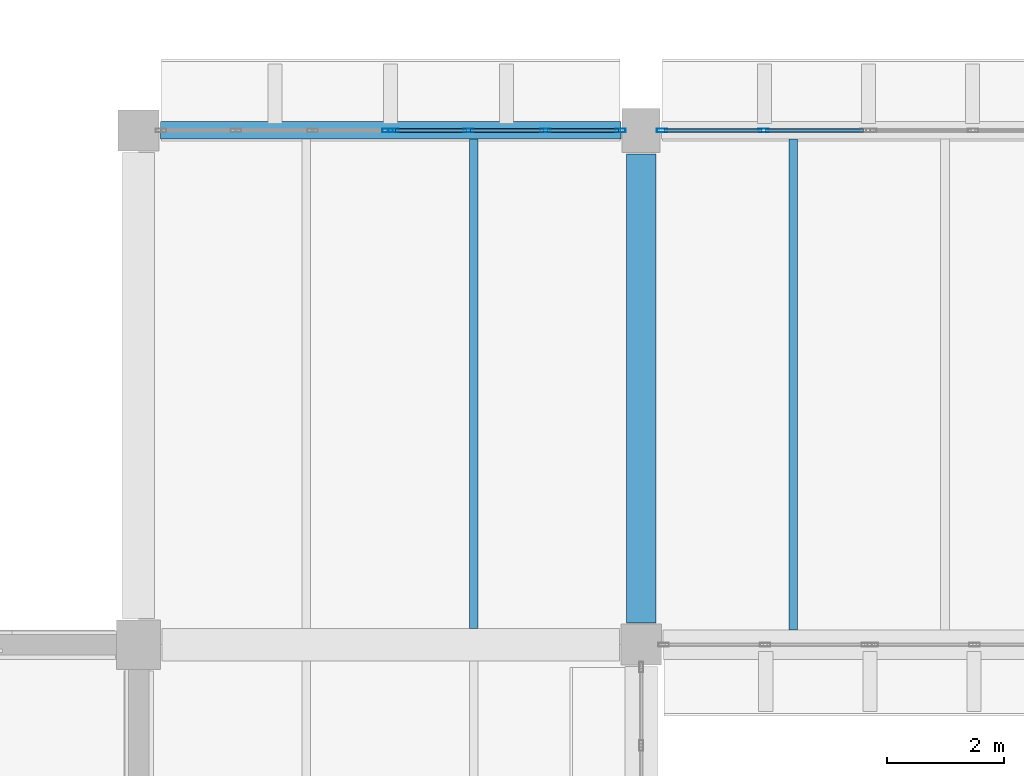
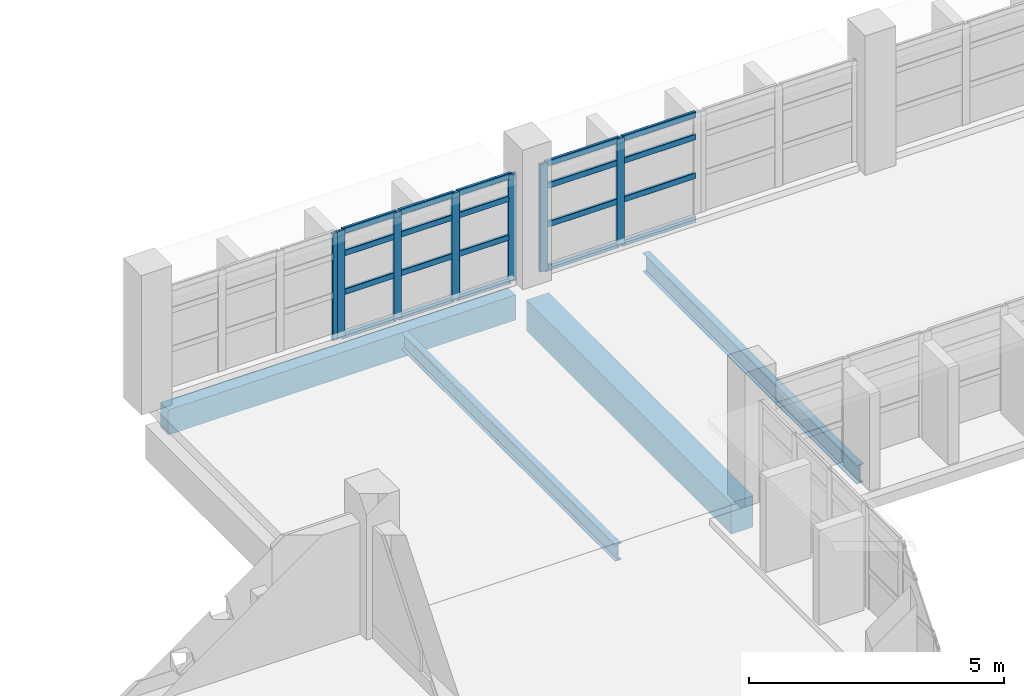
# One storey, part 21 of 75: 27 members, 4 beams, 3 elements without a shape of their own.
"""IFC4 building model written with IfcOpenShell, lengths in metres."""

from ifc_helpers import new_model, si_unit, direction, frame, origin, origin_2d, place, context, subcontext, project, spatial, rectangle, hollow_rectangle, i_section, extrude, material, material_profile, profile_set, type_object, element, aggregate, save


model = new_model("IFC4")

# Units and contexts
model_context = context("Model", 3, precision=1e-05, world=origin(), true_north=direction((0.0, 1.0)))
body_context = subcontext(model_context, "Body", "Model", "MODEL_VIEW")
ifc_project = project(units=[si_unit("LENGTHUNIT", "METRE"), si_unit("AREAUNIT", "SQUARE_METRE"), si_unit("VOLUMEUNIT", "CUBIC_METRE"), si_unit("PLANEANGLEUNIT", "RADIAN"), si_unit("MASSUNIT", "GRAM", prefix="KILO")], contexts=[model_context])

# Site, building, storey
site_placement = place(None, origin())
site = spatial("IfcSite", under=ifc_project, at=site_placement, CompositionType="ELEMENT")
building_placement = place(site_placement, origin())
building = spatial("IfcBuilding", under=site, at=building_placement, Name="Varnakota Cinema and Media Centre", CompositionType="ELEMENT")
storey_placement = place(building_placement, frame((0.0, 0.0, 8.39990234375)))
storey = spatial("IfcBuildingStorey", under=building, at=storey_placement, Name="L02", CompositionType="ELEMENT", Elevation=8.39990234375)

# Beams
ifc_material_1 = material(Name="Concrete M35", Category="concrete")
ifc_material_profile_1 = material_profile(ifc_material_1, rectangle(XDim=0.5, YDim=0.75, at=origin_2d()), Name="RCB 500x750")
ifc_profile_set_1 = profile_set([ifc_material_profile_1], Name="Concrete M35")
beam_type_1 = type_object("IfcBeamType", Name="BM-RC-500x750", PredefinedType="BEAM", material=ifc_profile_set_1)
beam_1_placement = place(storey_placement, frame((51.60009765625, 35.574951171875, -0.625), z_axis=(0.0, 1.0, 0.0), x_axis=(-1.0, 0.0, 0.0)))
element("IfcBeam", 1, at=beam_1_placement, inside=storey, type_object=beam_type_1, Name="L02 girder G/5-6", PredefinedType="BEAM", context=body_context, shape_type="SweptSolid", body=[
    extrude(rectangle(XDim=0.5, YDim=0.75, at=origin_2d()), origin(), (0.0, 0.0, 1.0), 8.025146484375),
])
ifc_material_2 = material(Name="Concrete M35", Category="concrete")
ifc_material_profile_2 = material_profile(ifc_material_2, rectangle(XDim=0.300048828125, YDim=0.60009765625, at=origin_2d()), Name="RCB 300x600")
ifc_profile_set_2 = profile_set([ifc_material_profile_2], Name="Concrete M35")
beam_type_2 = type_object("IfcBeamType", Name="BM-SP-300x600", PredefinedType="SPANDREL", material=ifc_profile_set_2)
beam_2_placement = place(storey_placement, frame((43.375, 44.0, -0.5498046875), z_axis=(1.0, 0.0, 0.0), x_axis=(0.0, 1.0, 0.0)))
element("IfcBeam", 2, at=beam_2_placement, inside=storey, type_object=beam_type_2, Name="L02 girder F-G/6", PredefinedType="SPANDREL", context=body_context, shape_type="SweptSolid", body=[
    extrude(rectangle(XDim=0.300048828125, YDim=0.60009765625, at=origin_2d()), origin(), (0.0, 0.0, 1.0), 7.875),
])
ifc_material_3 = material(Name="Structural steel Grade 350 (E350)", Category="steel")
ifc_material_profile_3 = material_profile(ifc_material_3, i_section(OverallWidth=0.139892578125, OverallDepth=0.39990234375, WebThickness=0.0087890625, FlangeThickness=0.01611328125, FilletRadius=0.013916015625, at=origin_2d()), Name="ISMB 400")
ifc_profile_set_3 = profile_set([ifc_material_profile_3], Name="Structural steel Grade 350 (E350)")
beam_type_3 = type_object("IfcBeamType", Name="BM-ST-ISMB400", PredefinedType="JOIST", material=ifc_profile_set_3)
beam_3_placement = place(storey_placement, frame((48.7333984375, 35.47509765625, -0.449951171875), z_axis=(0.0, 1.0, 0.0), x_axis=(-1.0, 0.0, 0.0)))
element("IfcBeam", 3, at=beam_3_placement, inside=storey, type_object=beam_type_3, Name="L02 steel joist F-G/5-6 #2", PredefinedType="JOIST", context=body_context, shape_type="SweptSolid", body=[
    extrude(i_section(OverallWidth=0.139892578125, OverallDepth=0.39990234375, WebThickness=0.0087890625, FlangeThickness=0.01611328125, FilletRadius=0.013916015625, at=origin_2d()), origin(), (0.0, 0.0, 1.0), 8.375),
])
ifc_material_4 = material(Name="Structural steel Grade 350 (E350)", Category="steel")
ifc_material_profile_4 = material_profile(ifc_material_4, i_section(OverallWidth=0.14990234375, OverallDepth=0.449951171875, WebThickness=0.009521484375, FlangeThickness=0.017333984375, FilletRadius=0.014892578125, at=origin_2d()), Name="ISMB 450")
ifc_profile_set_4 = profile_set([ifc_material_profile_4], Name="Structural steel Grade 350 (E350)")
beam_type_4 = type_object("IfcBeamType", Name="BM-ST-ISMB450", PredefinedType="BEAM", material=ifc_profile_set_4)
beam_4_placement = place(storey_placement, frame((54.199951171875, 35.449951171875, -0.474853515625), z_axis=(0.0, 1.0, 0.0), x_axis=(-1.0, 0.0, 0.0)))
element("IfcBeam", 4, at=beam_4_placement, inside=storey, type_object=beam_type_4, Name="L02 steel joist G-H/5-6 #1", PredefinedType="BEAM", context=body_context, shape_type="SweptSolid", body=[
    extrude(i_section(OverallWidth=0.14990234375, OverallDepth=0.449951171875, WebThickness=0.009521484375, FlangeThickness=0.017333984375, FilletRadius=0.014892578125, at=origin_2d()), origin(), (0.0, 0.0, 1.0), 8.400146484375),
])

# Curtain wall, member
ifc_material_5 = material(Name="Thermally broken anodised aluminium AW-6063", Category="aluminium")
curtain_wall_type_1 = type_object("IfcCurtainWallType", Name="CW-STD-394x258", PredefinedType="USERDEFINED", material=ifc_material_5)
curtain_wall_1_placement = place(storey_placement, origin())
curtain_wall_1 = element("IfcCurtainWall", 5, at=curtain_wall_1_placement, inside=storey, type_object=curtain_wall_type_1, Name="L02 curtain wall CW-L02-LINK-N-01-1", ObjectType="UNITISED CURTAIN WALL", PredefinedType="USERDEFINED")
ifc_material_6 = material(Name="Thermally broken anodised aluminium AW-6063", Category="aluminium")
ifc_material_profile_5 = material_profile(ifc_material_6, hollow_rectangle(XDim=0.06494140625, YDim=0.179931640625, WallThickness=0.00390625, InnerFilletRadius=0.00390625, OuterFilletRadius=0.008056640625, at=origin_2d()), Name="AL-MULLION 180x65x4")
ifc_profile_set_5 = profile_set([ifc_material_profile_5], Name="Thermally broken anodised aluminium AW-6063")
member_type_1 = type_object("IfcMemberType", Name="CWM-AL-180", PredefinedType="MULLION", material=ifc_profile_set_5)
member_1_placement = place(storey_placement, frame((47.260009765625, 44.0, 0.0), z_axis=(0.0, 0.0, 1.0), x_axis=(0.0, 1.0, 0.0)))
member_1 = element("IfcMember", 6, at=member_1_placement, type_object=member_type_1, Name="CW30 mullion 4", PredefinedType="MULLION", context=body_context, shape_type="SweptSolid", body=[
    extrude(hollow_rectangle(XDim=0.06494140625, YDim=0.179931640625, WallThickness=0.00390625, InnerFilletRadius=0.00390625, OuterFilletRadius=0.008056640625, at=origin_2d()), origin(), (0.0, 0.0, 1.0), 2.5751953125),
])
aggregate(curtain_wall_1, [member_1])

# Curtain wall, members
curtain_wall_2_placement = place(storey_placement, origin())
curtain_wall_2 = element("IfcCurtainWall", 7, at=curtain_wall_2_placement, inside=storey, type_object=curtain_wall_type_1, Name="L02 curtain wall CW-L02-LINK-N-01-2", ObjectType="UNITISED CURTAIN WALL", PredefinedType="USERDEFINED")
member_2_placement = place(storey_placement, frame((47.364990234375, 44.0, 0.0), z_axis=(0.0, 0.0, 1.0), x_axis=(0.0, 1.0, 0.0)))
member_2 = element("IfcMember", 8, at=member_2_placement, type_object=member_type_1, Name="CW30 mullion 1", PredefinedType="MULLION", context=body_context, shape_type="SweptSolid", body=[
    extrude(hollow_rectangle(XDim=0.06494140625, YDim=0.179931640625, WallThickness=0.00390625, InnerFilletRadius=0.00390625, OuterFilletRadius=0.008056640625, at=origin_2d()), origin(), (0.0, 0.0, 1.0), 2.5751953125),
])
member_3_placement = place(storey_placement, frame((48.646728515625, 44.0, 0.0), z_axis=(0.0, 0.0, 1.0), x_axis=(0.0, 1.0, 0.0)))
member_3 = element("IfcMember", 9, at=member_3_placement, type_object=member_type_1, Name="CW30 mullion 2", PredefinedType="MULLION", context=body_context, shape_type="SweptSolid", body=[
    extrude(hollow_rectangle(XDim=0.06494140625, YDim=0.179931640625, WallThickness=0.00390625, InnerFilletRadius=0.00390625, OuterFilletRadius=0.008056640625, at=origin_2d()), origin(), (0.0, 0.0, 1.0), 2.5751953125),
])
member_4_placement = place(storey_placement, frame((49.9609375, 44.0, 0.0), z_axis=(0.0, 0.0, 1.0), x_axis=(0.0, 1.0, 0.0)))
member_4 = element("IfcMember", 10, at=member_4_placement, type_object=member_type_1, Name="CW30 mullion 3", PredefinedType="MULLION", context=body_context, shape_type="SweptSolid", body=[
    extrude(hollow_rectangle(XDim=0.06494140625, YDim=0.179931640625, WallThickness=0.00390625, InnerFilletRadius=0.00390625, OuterFilletRadius=0.008056640625, at=origin_2d()), origin(), (0.0, 0.0, 1.0), 2.5751953125),
])
member_5_placement = place(storey_placement, frame((51.242431640625, 44.0, 0.0), z_axis=(0.0, 0.0, 1.0), x_axis=(0.0, 1.0, 0.0)))
member_5 = element("IfcMember", 11, at=member_5_placement, type_object=member_type_1, Name="CW30 mullion 4", PredefinedType="MULLION", context=body_context, shape_type="SweptSolid", body=[
    extrude(hollow_rectangle(XDim=0.06494140625, YDim=0.179931640625, WallThickness=0.00390625, InnerFilletRadius=0.00390625, OuterFilletRadius=0.008056640625, at=origin_2d()), origin(), (0.0, 0.0, 1.0), 2.5751953125),
])

ifc_material_7 = material(Name="Thermally broken anodised aluminium AW-6063", Category="aluminium")
curtain_wall_type_2 = type_object("IfcCurtainWallType", Name="CW-STD-354x258", PredefinedType="USERDEFINED", material=ifc_material_7)
curtain_wall_3_placement = place(storey_placement, origin())
curtain_wall_3 = element("IfcCurtainWall", 12, at=curtain_wall_3_placement, inside=storey, type_object=curtain_wall_type_2, Name="L02 curtain wall CW-L02-LINK-N-02-1", ObjectType="UNITISED CURTAIN WALL", PredefinedType="USERDEFINED")
member_6_placement = place(storey_placement, frame((51.95751953125, 44.0, 0.0), z_axis=(0.0, 0.0, 1.0), x_axis=(0.0, 1.0, 0.0)))
member_6 = element("IfcMember", 13, at=member_6_placement, type_object=member_type_1, Name="CW31 mullion 1", PredefinedType="MULLION", context=body_context, shape_type="SweptSolid", body=[
    extrude(hollow_rectangle(XDim=0.06494140625, YDim=0.179931640625, WallThickness=0.00390625, InnerFilletRadius=0.00390625, OuterFilletRadius=0.008056640625, at=origin_2d()), origin(), (0.0, 0.0, 1.0), 2.5751953125),
])
member_7_placement = place(storey_placement, frame((53.6962890625, 44.0, 0.0), z_axis=(0.0, 0.0, 1.0), x_axis=(0.0, 1.0, 0.0)))
member_7 = element("IfcMember", 14, at=member_7_placement, type_object=member_type_1, Name="CW31 mullion 2", PredefinedType="MULLION", context=body_context, shape_type="SweptSolid", body=[
    extrude(hollow_rectangle(XDim=0.06494140625, YDim=0.179931640625, WallThickness=0.00390625, InnerFilletRadius=0.00390625, OuterFilletRadius=0.008056640625, at=origin_2d()), origin(), (0.0, 0.0, 1.0), 2.5751953125),
])

# Member
ifc_material_8 = material(Name="Thermally broken anodised aluminium AW-6063", Category="aluminium")
ifc_material_profile_6 = material_profile(ifc_material_8, hollow_rectangle(XDim=0.06494140625, YDim=0.139892578125, WallThickness=0.00390625, InnerFilletRadius=0.00390625, OuterFilletRadius=0.008056640625, at=origin_2d()), Name="AL-TRANSOM 140x65x4")
ifc_profile_set_6 = profile_set([ifc_material_profile_6], Name="Thermally broken anodised aluminium AW-6063")
member_type_2 = type_object("IfcMemberType", Name="CWT-AL-140", PredefinedType="USERDEFINED", material=ifc_profile_set_6)
member_8_placement = place(storey_placement, frame((47.3974609375, 44.0, 0.03271484375), z_axis=(1.0, 0.0, 0.0), x_axis=(0.0, 1.0, 0.0)))
member_8 = element("IfcMember", 15, at=member_8_placement, type_object=member_type_2, Name="CW30 transom 1.1", ObjectType="TRANSOM", PredefinedType="USERDEFINED", context=body_context, shape_type="SweptSolid", body=[
    extrude(hollow_rectangle(XDim=0.06494140625, YDim=0.139892578125, WallThickness=0.00390625, InnerFilletRadius=0.00390625, OuterFilletRadius=0.008056640625, at=origin_2d()), origin(), (0.0, 0.0, 1.0), 1.216796875),
])

member_9_placement = place(storey_placement, frame((47.3974609375, 44.0, 1.08154296875), z_axis=(1.0, 0.0, 0.0), x_axis=(0.0, 1.0, 0.0)))
member_9 = element("IfcMember", 16, at=member_9_placement, type_object=member_type_2, Name="CW30 transom 1.2", ObjectType="TRANSOM", PredefinedType="USERDEFINED", context=body_context, shape_type="SweptSolid", body=[
    extrude(hollow_rectangle(XDim=0.06494140625, YDim=0.139892578125, WallThickness=0.00390625, InnerFilletRadius=0.00390625, OuterFilletRadius=0.008056640625, at=origin_2d()), origin(), (0.0, 0.0, 1.0), 1.216796875),
])

member_10_placement = place(storey_placement, frame((47.3974609375, 44.0, 2.008544921875), z_axis=(1.0, 0.0, 0.0), x_axis=(0.0, 1.0, 0.0)))
member_10 = element("IfcMember", 17, at=member_10_placement, type_object=member_type_2, Name="CW30 transom 1.3", ObjectType="TRANSOM", PredefinedType="USERDEFINED", context=body_context, shape_type="SweptSolid", body=[
    extrude(hollow_rectangle(XDim=0.06494140625, YDim=0.139892578125, WallThickness=0.00390625, InnerFilletRadius=0.00390625, OuterFilletRadius=0.008056640625, at=origin_2d()), origin(), (0.0, 0.0, 1.0), 1.216796875),
])

member_11_placement = place(storey_placement, frame((47.3974609375, 44.0, 2.54248046875), z_axis=(1.0, 0.0, 0.0), x_axis=(0.0, 1.0, 0.0)))
member_11 = element("IfcMember", 18, at=member_11_placement, type_object=member_type_2, Name="CW30 transom 1.4", ObjectType="TRANSOM", PredefinedType="USERDEFINED", context=body_context, shape_type="SweptSolid", body=[
    extrude(hollow_rectangle(XDim=0.06494140625, YDim=0.139892578125, WallThickness=0.00390625, InnerFilletRadius=0.00390625, OuterFilletRadius=0.008056640625, at=origin_2d()), origin(), (0.0, 0.0, 1.0), 1.216796875),
])

member_12_placement = place(storey_placement, frame((48.67919921875, 44.0, 0.03271484375), z_axis=(1.0, 0.0, 0.0), x_axis=(0.0, 1.0, 0.0)))
member_12 = element("IfcMember", 19, at=member_12_placement, type_object=member_type_2, Name="CW30 transom 2.1", ObjectType="TRANSOM", PredefinedType="USERDEFINED", context=body_context, shape_type="SweptSolid", body=[
    extrude(hollow_rectangle(XDim=0.06494140625, YDim=0.139892578125, WallThickness=0.00390625, InnerFilletRadius=0.00390625, OuterFilletRadius=0.008056640625, at=origin_2d()), origin(), (0.0, 0.0, 1.0), 1.2490234375),
])

member_13_placement = place(storey_placement, frame((48.67919921875, 44.0, 1.08154296875), z_axis=(1.0, 0.0, 0.0), x_axis=(0.0, 1.0, 0.0)))
member_13 = element("IfcMember", 20, at=member_13_placement, type_object=member_type_2, Name="CW30 transom 2.2", ObjectType="TRANSOM", PredefinedType="USERDEFINED", context=body_context, shape_type="SweptSolid", body=[
    extrude(hollow_rectangle(XDim=0.06494140625, YDim=0.139892578125, WallThickness=0.00390625, InnerFilletRadius=0.00390625, OuterFilletRadius=0.008056640625, at=origin_2d()), origin(), (0.0, 0.0, 1.0), 1.2490234375),
])

member_14_placement = place(storey_placement, frame((48.67919921875, 44.0, 2.008544921875), z_axis=(1.0, 0.0, 0.0), x_axis=(0.0, 1.0, 0.0)))
member_14 = element("IfcMember", 21, at=member_14_placement, type_object=member_type_2, Name="CW30 transom 2.3", ObjectType="TRANSOM", PredefinedType="USERDEFINED", context=body_context, shape_type="SweptSolid", body=[
    extrude(hollow_rectangle(XDim=0.06494140625, YDim=0.139892578125, WallThickness=0.00390625, InnerFilletRadius=0.00390625, OuterFilletRadius=0.008056640625, at=origin_2d()), origin(), (0.0, 0.0, 1.0), 1.2490234375),
])

member_15_placement = place(storey_placement, frame((48.67919921875, 44.0, 2.54248046875), z_axis=(1.0, 0.0, 0.0), x_axis=(0.0, 1.0, 0.0)))
member_15 = element("IfcMember", 22, at=member_15_placement, type_object=member_type_2, Name="CW30 transom 2.4", ObjectType="TRANSOM", PredefinedType="USERDEFINED", context=body_context, shape_type="SweptSolid", body=[
    extrude(hollow_rectangle(XDim=0.06494140625, YDim=0.139892578125, WallThickness=0.00390625, InnerFilletRadius=0.00390625, OuterFilletRadius=0.008056640625, at=origin_2d()), origin(), (0.0, 0.0, 1.0), 1.2490234375),
])

member_16_placement = place(storey_placement, frame((49.993408203125, 44.0, 0.03271484375), z_axis=(1.0, 0.0, 0.0), x_axis=(0.0, 1.0, 0.0)))
member_16 = element("IfcMember", 23, at=member_16_placement, type_object=member_type_2, Name="CW30 transom 3.1", ObjectType="TRANSOM", PredefinedType="USERDEFINED", context=body_context, shape_type="SweptSolid", body=[
    extrude(hollow_rectangle(XDim=0.06494140625, YDim=0.139892578125, WallThickness=0.00390625, InnerFilletRadius=0.00390625, OuterFilletRadius=0.008056640625, at=origin_2d()), origin(), (0.0, 0.0, 1.0), 1.216552734375),
])

member_17_placement = place(storey_placement, frame((49.993408203125, 44.0, 1.08154296875), z_axis=(1.0, 0.0, 0.0), x_axis=(0.0, 1.0, 0.0)))
member_17 = element("IfcMember", 24, at=member_17_placement, type_object=member_type_2, Name="CW30 transom 3.2", ObjectType="TRANSOM", PredefinedType="USERDEFINED", context=body_context, shape_type="SweptSolid", body=[
    extrude(hollow_rectangle(XDim=0.06494140625, YDim=0.139892578125, WallThickness=0.00390625, InnerFilletRadius=0.00390625, OuterFilletRadius=0.008056640625, at=origin_2d()), origin(), (0.0, 0.0, 1.0), 1.216552734375),
])

member_18_placement = place(storey_placement, frame((49.993408203125, 44.0, 2.008544921875), z_axis=(1.0, 0.0, 0.0), x_axis=(0.0, 1.0, 0.0)))
member_18 = element("IfcMember", 25, at=member_18_placement, type_object=member_type_2, Name="CW30 transom 3.3", ObjectType="TRANSOM", PredefinedType="USERDEFINED", context=body_context, shape_type="SweptSolid", body=[
    extrude(hollow_rectangle(XDim=0.06494140625, YDim=0.139892578125, WallThickness=0.00390625, InnerFilletRadius=0.00390625, OuterFilletRadius=0.008056640625, at=origin_2d()), origin(), (0.0, 0.0, 1.0), 1.216552734375),
])

member_19_placement = place(storey_placement, frame((49.993408203125, 44.0, 2.54248046875), z_axis=(1.0, 0.0, 0.0), x_axis=(0.0, 1.0, 0.0)))
member_19 = element("IfcMember", 26, at=member_19_placement, type_object=member_type_2, Name="CW30 transom 3.4", ObjectType="TRANSOM", PredefinedType="USERDEFINED", context=body_context, shape_type="SweptSolid", body=[
    extrude(hollow_rectangle(XDim=0.06494140625, YDim=0.139892578125, WallThickness=0.00390625, InnerFilletRadius=0.00390625, OuterFilletRadius=0.008056640625, at=origin_2d()), origin(), (0.0, 0.0, 1.0), 1.216552734375),
])

aggregate(curtain_wall_2, [member_2, member_3, member_4, member_5, member_8, member_9, member_10, member_11, member_12, member_13, member_14, member_15, member_16, member_17, member_18, member_19])

member_20_placement = place(storey_placement, frame((51.989990234375, 44.0, 0.03271484375), z_axis=(1.0, 0.0, 0.0), x_axis=(0.0, 1.0, 0.0)))
member_20 = element("IfcMember", 27, at=member_20_placement, type_object=member_type_2, Name="CW31 transom 1.1", ObjectType="TRANSOM", PredefinedType="USERDEFINED", context=body_context, shape_type="SweptSolid", body=[
    extrude(hollow_rectangle(XDim=0.06494140625, YDim=0.139892578125, WallThickness=0.00390625, InnerFilletRadius=0.00390625, OuterFilletRadius=0.008056640625, at=origin_2d()), origin(), (0.0, 0.0, 1.0), 1.673828125),
])

member_21_placement = place(storey_placement, frame((51.989990234375, 44.0, 1.08154296875), z_axis=(1.0, 0.0, 0.0), x_axis=(0.0, 1.0, 0.0)))
member_21 = element("IfcMember", 28, at=member_21_placement, type_object=member_type_2, Name="CW31 transom 1.2", ObjectType="TRANSOM", PredefinedType="USERDEFINED", context=body_context, shape_type="SweptSolid", body=[
    extrude(hollow_rectangle(XDim=0.06494140625, YDim=0.139892578125, WallThickness=0.00390625, InnerFilletRadius=0.00390625, OuterFilletRadius=0.008056640625, at=origin_2d()), origin(), (0.0, 0.0, 1.0), 1.673828125),
])

member_22_placement = place(storey_placement, frame((51.989990234375, 44.0, 2.008544921875), z_axis=(1.0, 0.0, 0.0), x_axis=(0.0, 1.0, 0.0)))
member_22 = element("IfcMember", 29, at=member_22_placement, type_object=member_type_2, Name="CW31 transom 1.3", ObjectType="TRANSOM", PredefinedType="USERDEFINED", context=body_context, shape_type="SweptSolid", body=[
    extrude(hollow_rectangle(XDim=0.06494140625, YDim=0.139892578125, WallThickness=0.00390625, InnerFilletRadius=0.00390625, OuterFilletRadius=0.008056640625, at=origin_2d()), origin(), (0.0, 0.0, 1.0), 1.673828125),
])

member_23_placement = place(storey_placement, frame((51.989990234375, 44.0, 2.54248046875), z_axis=(1.0, 0.0, 0.0), x_axis=(0.0, 1.0, 0.0)))
member_23 = element("IfcMember", 30, at=member_23_placement, type_object=member_type_2, Name="CW31 transom 1.4", ObjectType="TRANSOM", PredefinedType="USERDEFINED", context=body_context, shape_type="SweptSolid", body=[
    extrude(hollow_rectangle(XDim=0.06494140625, YDim=0.139892578125, WallThickness=0.00390625, InnerFilletRadius=0.00390625, OuterFilletRadius=0.008056640625, at=origin_2d()), origin(), (0.0, 0.0, 1.0), 1.673828125),
])

member_24_placement = place(storey_placement, frame((53.728759765625, 44.0, 0.03271484375), z_axis=(1.0, 0.0, 0.0), x_axis=(0.0, 1.0, 0.0)))
member_24 = element("IfcMember", 31, at=member_24_placement, type_object=member_type_2, Name="CW31 transom 2.1", ObjectType="TRANSOM", PredefinedType="USERDEFINED", context=body_context, shape_type="SweptSolid", body=[
    extrude(hollow_rectangle(XDim=0.06494140625, YDim=0.139892578125, WallThickness=0.00390625, InnerFilletRadius=0.00390625, OuterFilletRadius=0.008056640625, at=origin_2d()), origin(), (0.0, 0.0, 1.0), 1.673828125),
])

member_25_placement = place(storey_placement, frame((53.728759765625, 44.0, 1.08154296875), z_axis=(1.0, 0.0, 0.0), x_axis=(0.0, 1.0, 0.0)))
member_25 = element("IfcMember", 32, at=member_25_placement, type_object=member_type_2, Name="CW31 transom 2.2", ObjectType="TRANSOM", PredefinedType="USERDEFINED", context=body_context, shape_type="SweptSolid", body=[
    extrude(hollow_rectangle(XDim=0.06494140625, YDim=0.139892578125, WallThickness=0.00390625, InnerFilletRadius=0.00390625, OuterFilletRadius=0.008056640625, at=origin_2d()), origin(), (0.0, 0.0, 1.0), 1.673828125),
])

member_26_placement = place(storey_placement, frame((53.728759765625, 44.0, 2.008544921875), z_axis=(1.0, 0.0, 0.0), x_axis=(0.0, 1.0, 0.0)))
member_26 = element("IfcMember", 33, at=member_26_placement, type_object=member_type_2, Name="CW31 transom 2.3", ObjectType="TRANSOM", PredefinedType="USERDEFINED", context=body_context, shape_type="SweptSolid", body=[
    extrude(hollow_rectangle(XDim=0.06494140625, YDim=0.139892578125, WallThickness=0.00390625, InnerFilletRadius=0.00390625, OuterFilletRadius=0.008056640625, at=origin_2d()), origin(), (0.0, 0.0, 1.0), 1.673828125),
])

member_27_placement = place(storey_placement, frame((53.728759765625, 44.0, 2.54248046875), z_axis=(1.0, 0.0, 0.0), x_axis=(0.0, 1.0, 0.0)))
member_27 = element("IfcMember", 34, at=member_27_placement, type_object=member_type_2, Name="CW31 transom 2.4", ObjectType="TRANSOM", PredefinedType="USERDEFINED", context=body_context, shape_type="SweptSolid", body=[
    extrude(hollow_rectangle(XDim=0.06494140625, YDim=0.139892578125, WallThickness=0.00390625, InnerFilletRadius=0.00390625, OuterFilletRadius=0.008056640625, at=origin_2d()), origin(), (0.0, 0.0, 1.0), 1.673828125),
])

aggregate(curtain_wall_3, [member_6, member_7, member_20, member_21, member_22, member_23, member_24, member_25, member_26, member_27])

save(model, "model.ifc")
